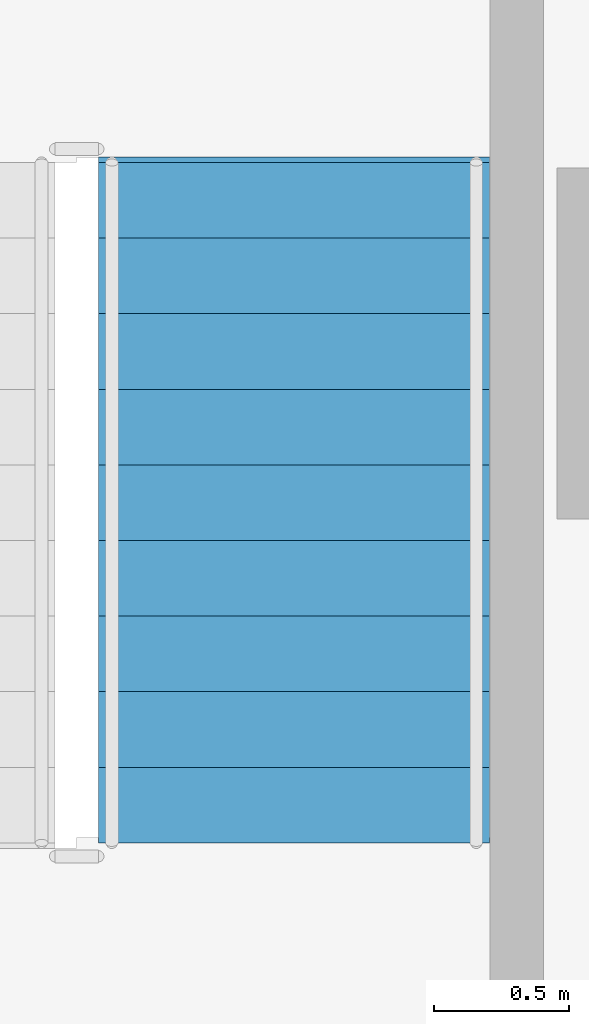
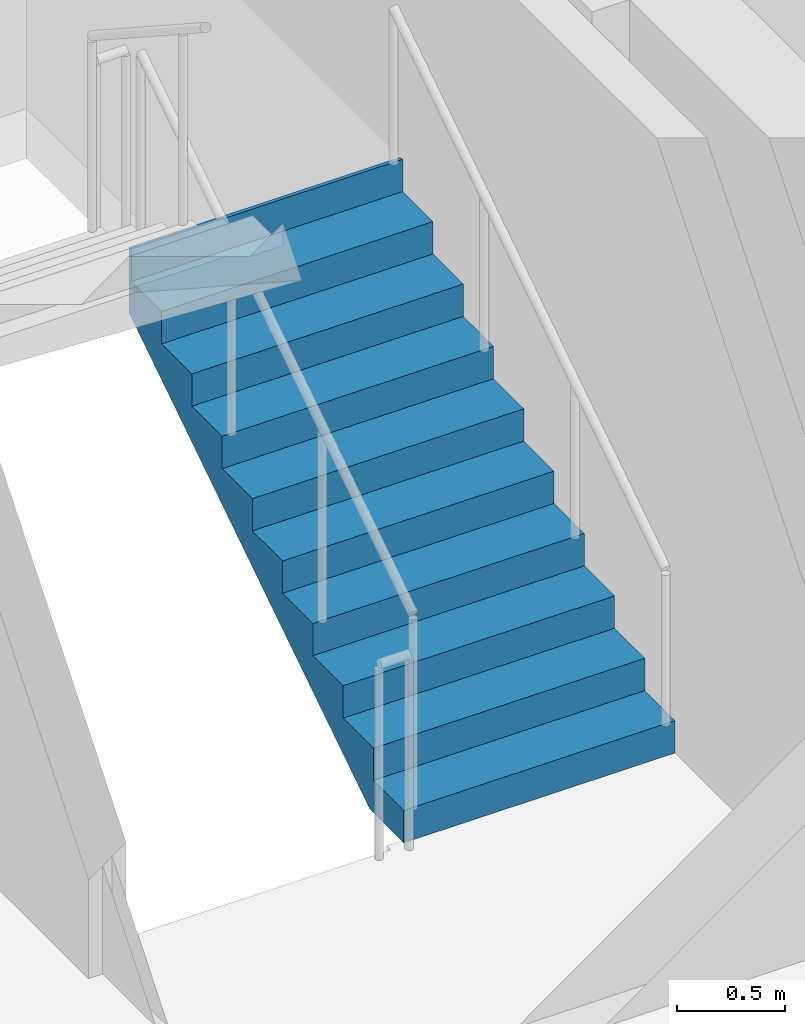
# One storey, part 8 of 12: 1 stair flight, 1 element without a shape of its own.
"""IFC4 building model written with IfcOpenShell, lengths in metres."""

from ifc_helpers import new_model, si_unit, direction, frame, origin, place, context, subcontext, project, spatial, polyline, outline, extrude, material, type_object, element, aggregate, save


model = new_model("IFC4")

# Units and contexts
model_context = context("Model", 3, precision=1e-05, world=origin(), true_north=direction((0.0, 1.0)))
body_context = subcontext(model_context, "Body", "Model", "MODEL_VIEW")
ifc_project = project(units=[si_unit("LENGTHUNIT", "METRE"), si_unit("AREAUNIT", "SQUARE_METRE"), si_unit("VOLUMEUNIT", "CUBIC_METRE"), si_unit("PLANEANGLEUNIT", "RADIAN"), si_unit("MASSUNIT", "GRAM", prefix="KILO")], contexts=[model_context])

# Site, building, storey
site_placement = place(None, origin())
site = spatial("IfcSite", under=ifc_project, at=site_placement, CompositionType="ELEMENT")
building_placement = place(site_placement, origin())
building = spatial("IfcBuilding", under=site, at=building_placement, Name="Nuvemarco Arch Tower", CompositionType="ELEMENT")
storey_placement = place(building_placement, frame((0.0, 0.0, 49.5)))
storey = spatial("IfcBuildingStorey", under=building, at=storey_placement, Name="L12", CompositionType="ELEMENT", Elevation=49.5)

# Stair, stair flight
ifc_material = material(Name="Precast concrete C45/55", Category="concrete")
stair_type = type_object("IfcStairType", Name="ST-CORE-20R", PredefinedType="HALF_TURN_STAIR", material=ifc_material)
stair_placement = place(storey_placement, origin())
stair = element("IfcStair", 1, at=stair_placement, inside=storey, type_object=stair_type, Name="L12 Protected Exit Stair ST-2", PredefinedType="HALF_TURN_STAIR")
stair_flight_type = type_object("IfcStairFlightType", Name="SF-CORE-20R", PredefinedType="STRAIGHT", material=ifc_material)
stair_flight_placement = place(storey_placement, frame((15.875, 2.64990234375, 0.0), z_axis=(0.0, 0.0, 1.0), x_axis=(0.0, 1.0, 0.0)))
stair_flight = element("IfcStairFlight", 2, at=stair_flight_placement, type_object=stair_flight_type, Name="ST-20R flight 1", NumberOfRisers=10, NumberOfTreads=9, PredefinedType="STRAIGHT", RiserHeight=0.1825, TreadLength=0.28, context=body_context, shape_type="SweptSolid", body=[
    extrude(outline(polyline([(0.0, 0.0), (0.0, 0.1826171875), (0.280029296875, 0.1826171875), (0.280029296875, 0.364990234375), (0.56005859375, 0.364990234375), (0.56005859375, 0.547607421875), (0.840087890625, 0.547607421875), (0.840087890625, 0.72998046875), (1.1201171875, 0.72998046875), (1.1201171875, 0.91259765625), (1.39990234375, 0.91259765625), (1.39990234375, 1.094970703125), (1.679931640625, 1.094970703125), (1.679931640625, 1.277587890625), (1.9599609375, 1.277587890625), (1.9599609375, 1.4599609375), (2.239990234375, 1.4599609375), (2.239990234375, 1.642578125), (2.52001953125, 1.642578125), (2.52001953125, 1.824951171875), (2.5400390625, 1.824951171875), (2.5400390625, 1.45166015625), (0.312744140625, 0.0), (0.0, 0.0)])), frame((0.0, 0.72509765625, 0.0), z_axis=(0.0, -1.0, 0.0), x_axis=(1.0, 0.0, 0.0)), (0.0, 0.0, 1.0), 1.449951171875),
])
aggregate(stair, [stair_flight])

save(model, "model.ifc")
